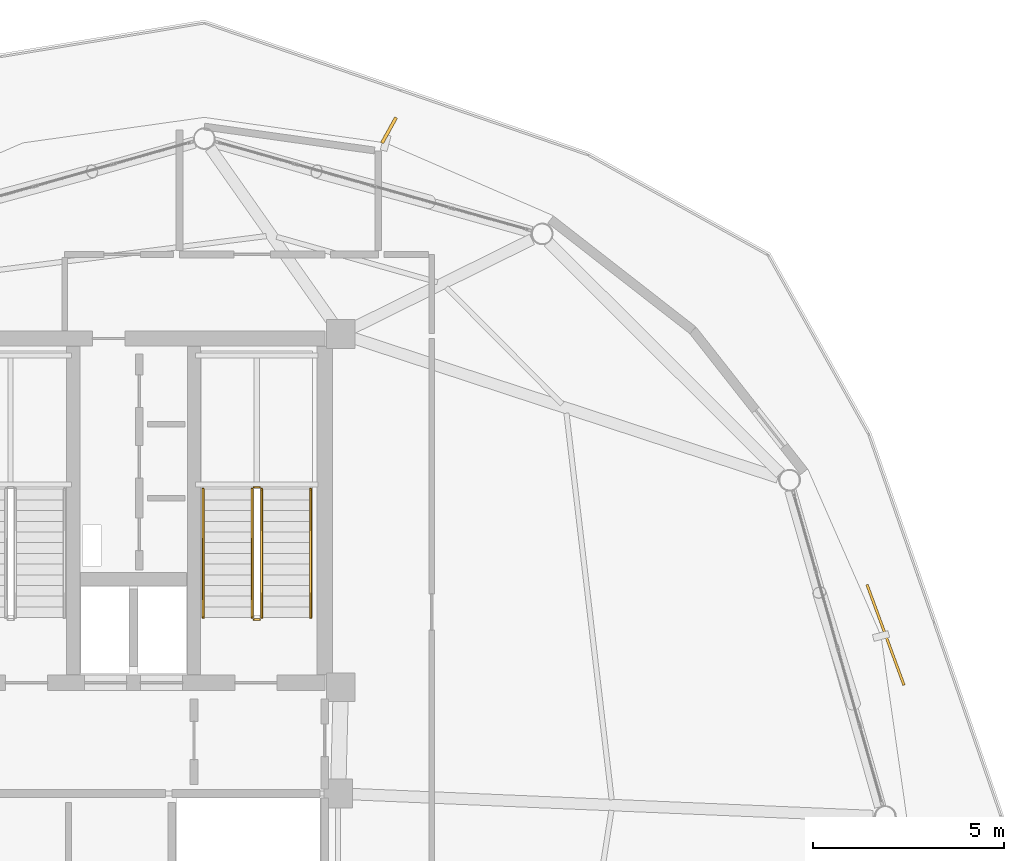
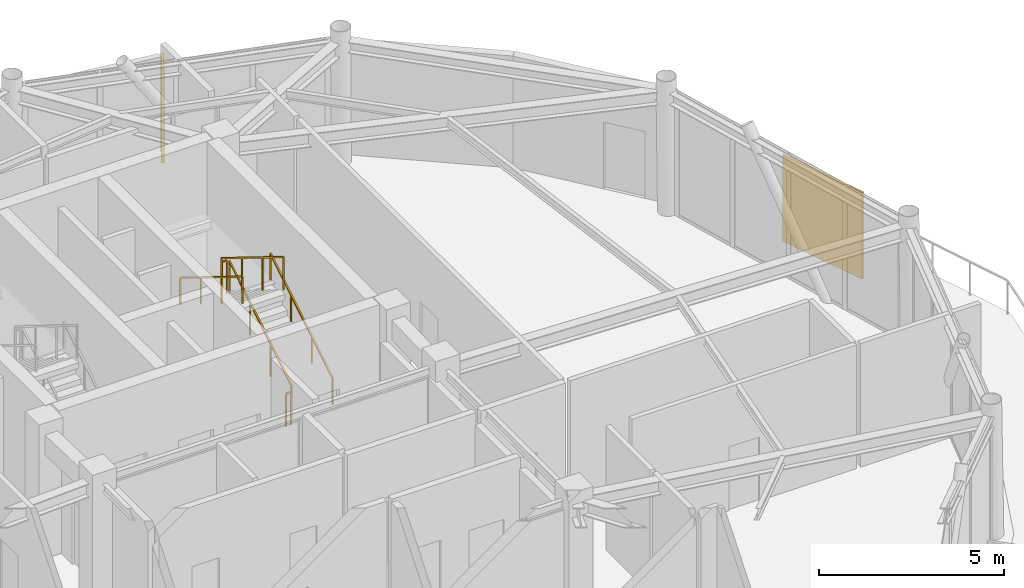
# One storey, part 24 of 24: 6 railings, 2 shading devices.
"""IFC4 building model written with IfcOpenShell, lengths in metres."""

from ifc_helpers import new_model, si_unit, direction, frame, origin, origin_2d, place, context, subcontext, project, spatial, rectangle, extrude, source, transform, mapped, material, type_object, type_shapes, element, save


model = new_model("IFC4")

# Units and contexts
model_context = context("Model", 3, precision=1e-05, world=origin(), true_north=direction((0.0, 1.0)))
body_context = subcontext(model_context, "Body", "Model", "MODEL_VIEW")
ifc_project = project(units=[si_unit("LENGTHUNIT", "METRE"), si_unit("AREAUNIT", "SQUARE_METRE"), si_unit("VOLUMEUNIT", "CUBIC_METRE"), si_unit("PLANEANGLEUNIT", "RADIAN"), si_unit("MASSUNIT", "GRAM", prefix="KILO")], contexts=[model_context])

# Site, building, storey
site_placement = place(None, origin())
site = spatial("IfcSite", under=ifc_project, at=site_placement, CompositionType="ELEMENT")
building_placement = place(site_placement, origin())
building = spatial("IfcBuilding", under=site, at=building_placement, Name="Varnakorn Sky Granary", CompositionType="ELEMENT")
storey_placement = place(building_placement, frame((0.0, 0.0, 285.0)))
storey = spatial("IfcBuildingStorey", under=building, at=storey_placement, Name="L73", CompositionType="ELEMENT", Elevation=285.0)

# Railings
ifc_material_1 = material(Name="Brushed Stainless Steel 316", Category="steel")
railing_type_1 = type_object("IfcRailingType", Name="RL-STAIR-1100", PredefinedType="GUARDRAIL", material=ifc_material_1)
railing_1_placement = place(storey_placement, frame((6.35009765625, 5.199951171875, 0.173095703125)))
element("IfcRailing", 1, at=railing_1_placement, inside=storey, type_object=railing_type_1, Name="L73 ST-2 stair guard 1", PredefinedType="GUARDRAIL", context=body_context, shape_type="SweptSolid", body=[
    extrude(rectangle(XDim=0.048095703125, YDim=0.048095703125, at=origin_2d()), frame((0.0, 0.0, 1.076171875), z_axis=(0.0, 0.850623216509, 0.525775754039), x_axis=(-1.0, 0.0, 0.0)), (0.0, 0.0, 1.0), 3.9501953125),
    extrude(rectangle(XDim=0.0419921875, YDim=0.0419921875, at=origin_2d()), origin(), (0.0, 0.0, 1.0), 1.048095703125),
    extrude(rectangle(XDim=0.0419921875, YDim=0.0419921875, at=origin_2d()), frame((0.0, 1.1201171875, 0.6923828125)), (0.0, 0.0, 1.0), 1.048095703125),
    extrude(rectangle(XDim=0.0419921875, YDim=0.0419921875, at=origin_2d()), frame((0.0, 2.239990234375, 1.384521484375)), (0.0, 0.0, 1.0), 1.048095703125),
    extrude(rectangle(XDim=0.0419921875, YDim=0.0419921875, at=origin_2d()), frame((0.0, 3.360107421875, 2.076904296875)), (0.0, 0.0, 1.0), 1.048095703125),
])
railing_2_placement = place(storey_placement, frame((6.300048828125, 8.610107421875, 2.25)))
element("IfcRailing", 2, at=railing_2_placement, inside=storey, type_object=railing_type_1, Name="L73 ST-2 stair guard 2", PredefinedType="GUARDRAIL", context=body_context, shape_type="SweptSolid", body=[
    extrude(rectangle(XDim=0.048095703125, YDim=0.048095703125, at=origin_2d()), frame((0.0, 0.0, 1.076171875), z_axis=(-1.0, 0.0, 0.0), x_axis=(0.0, -1.0, 0.0)), (0.0, 0.0, 1.0), 0.150146484375),
    extrude(rectangle(XDim=0.0419921875, YDim=0.0419921875, at=origin_2d()), origin(), (0.0, 0.0, 1.0), 1.048095703125),
    extrude(rectangle(XDim=0.0419921875, YDim=0.0419921875, at=origin_2d()), frame((-0.150146484375, 0.0, 0.0)), (0.0, 0.0, 1.0), 1.048095703125),
])
railing_3_placement = place(storey_placement, frame((6.10009765625, 8.56005859375, 2.423095703125)))
element("IfcRailing", 3, at=railing_3_placement, inside=storey, type_object=railing_type_1, Name="L73 ST-2 stair guard 3", PredefinedType="GUARDRAIL", context=body_context, shape_type="SweptSolid", body=[
    extrude(rectangle(XDim=0.048095703125, YDim=0.048095703125, at=origin_2d()), frame((0.0, 0.0, 1.076171875), z_axis=(0.0, -0.850623216509, 0.525775754039), x_axis=(1.0, 0.0, 0.0)), (0.0, 0.0, 1.0), 3.9501953125),
    extrude(rectangle(XDim=0.0419921875, YDim=0.0419921875, at=origin_2d()), origin(), (0.0, 0.0, 1.0), 1.048095703125),
    extrude(rectangle(XDim=0.0419921875, YDim=0.0419921875, at=origin_2d()), frame((0.0, -1.1201171875, 0.6923828125)), (0.0, 0.0, 1.0), 1.048095703125),
    extrude(rectangle(XDim=0.0419921875, YDim=0.0419921875, at=origin_2d()), frame((0.0, -2.239990234375, 1.384521484375)), (0.0, 0.0, 1.0), 1.048095703125),
    extrude(rectangle(XDim=0.0419921875, YDim=0.0419921875, at=origin_2d()), frame((0.0, -3.360107421875, 2.076904296875)), (0.0, 0.0, 1.0), 1.048095703125),
])
railing_4_placement = place(storey_placement, frame((6.300048828125, 5.14990234375, 0.0)))
element("IfcRailing", 4, at=railing_4_placement, inside=storey, type_object=railing_type_1, Name="L73 ST-2 stair guard 4", PredefinedType="GUARDRAIL", context=body_context, shape_type="SweptSolid", body=[
    extrude(rectangle(XDim=0.048095703125, YDim=0.048095703125, at=origin_2d()), frame((0.0, 0.0, 1.076171875), z_axis=(-1.0, 0.0, 0.0), x_axis=(0.0, -1.0, 0.0)), (0.0, 0.0, 1.0), 0.150146484375),
    extrude(rectangle(XDim=0.0419921875, YDim=0.0419921875, at=origin_2d()), origin(), (0.0, 0.0, 1.0), 1.048095703125),
    extrude(rectangle(XDim=0.0419921875, YDim=0.0419921875, at=origin_2d()), frame((-0.150146484375, 0.0, 0.0)), (0.0, 0.0, 1.0), 1.048095703125),
])
railing_type_2 = type_object("IfcRailingType", Name="RL-STAIR-920", PredefinedType="HANDRAIL", material=ifc_material_1)
railing_5_placement = place(storey_placement, frame((7.6298828125, 5.199951171875, 0.173095703125)))
element("IfcRailing", 5, at=railing_5_placement, inside=storey, type_object=railing_type_2, Name="L73 ST-2 stair handrail 1", PredefinedType="HANDRAIL", context=body_context, shape_type="SweptSolid", body=[
    extrude(rectangle(XDim=0.048095703125, YDim=0.048095703125, at=origin_2d()), frame((0.0, 0.0, 0.8759765625), z_axis=(0.0, 0.850623216509, 0.525775754039), x_axis=(-1.0, 0.0, 0.0)), (0.0, 0.0, 1.0), 3.9501953125),
    extrude(rectangle(XDim=0.0419921875, YDim=0.0419921875, at=origin_2d()), origin(), (0.0, 0.0, 1.0), 0.847900390625),
    extrude(rectangle(XDim=0.0419921875, YDim=0.0419921875, at=origin_2d()), frame((0.0, 1.1201171875, 0.6923828125)), (0.0, 0.0, 1.0), 0.847900390625),
    extrude(rectangle(XDim=0.0419921875, YDim=0.0419921875, at=origin_2d()), frame((0.0, 2.239990234375, 1.384521484375)), (0.0, 0.0, 1.0), 0.847900390625),
    extrude(rectangle(XDim=0.0419921875, YDim=0.0419921875, at=origin_2d()), frame((0.0, 3.360107421875, 2.076904296875)), (0.0, 0.0, 1.0), 0.847900390625),
])
railing_6_placement = place(storey_placement, frame((4.820068359375, 8.56005859375, 2.423095703125)))
element("IfcRailing", 6, at=railing_6_placement, inside=storey, type_object=railing_type_2, Name="L73 ST-2 stair handrail 2", PredefinedType="HANDRAIL", context=body_context, shape_type="SweptSolid", body=[
    extrude(rectangle(XDim=0.048095703125, YDim=0.048095703125, at=origin_2d()), frame((0.0, 0.0, 0.8759765625), z_axis=(0.0, -0.850623216509, 0.525775754039), x_axis=(1.0, 0.0, 0.0)), (0.0, 0.0, 1.0), 3.9501953125),
    extrude(rectangle(XDim=0.0419921875, YDim=0.0419921875, at=origin_2d()), origin(), (0.0, 0.0, 1.0), 0.847900390625),
    extrude(rectangle(XDim=0.0419921875, YDim=0.0419921875, at=origin_2d()), frame((0.0, -1.1201171875, 0.6923828125)), (0.0, 0.0, 1.0), 0.847900390625),
    extrude(rectangle(XDim=0.0419921875, YDim=0.0419921875, at=origin_2d()), frame((0.0, -2.239990234375, 1.384521484375)), (0.0, 0.0, 1.0), 0.847900390625),
    extrude(rectangle(XDim=0.0419921875, YDim=0.0419921875, at=origin_2d()), frame((0.0, -3.360107421875, 2.076904296875)), (0.0, 0.0, 1.0), 0.847900390625),
])

# Shading devices
ifc_material_2 = material(Name="Anodised Bronze Aluminium Alloy 6063-T6", Category="aluminium")
shading_device_type_1 = type_object("IfcShadingDeviceType", Name="SH-FIN-03", PredefinedType="USERDEFINED", material=ifc_material_2)
shared_shape_1 = source(origin(), body_context, "Body", "SweptSolid", [
    extrude(rectangle(XDim=0.0849609375, YDim=0.760009765625, at=origin_2d()), origin(), (0.0, 0.0, 1.0), 3.10009765625),
])
type_shapes(shading_device_type_1, [shared_shape_1])
shading_device_1_placement = place(storey_placement, frame((9.680908203125, 17.94580078125, -0.0400390625), z_axis=(0.0, 0.0, 1.0), x_axis=(-0.875428596299, 0.483347465889, 0.0)))
element("IfcShadingDevice", 7, at=shading_device_1_placement, inside=storey, type_object=shading_device_type_1, Name="Bronze Solar-Tracking Vertical Blade FIN L73-03", ObjectType="FIN", PredefinedType="USERDEFINED", context=body_context, shape_type="MappedRepresentation", body=[
    mapped(shared_shape_1, transform((0.0, 0.0, 0.0), x_axis=(1.0, 0.0, 0.0), y_axis=(0.0, 1.0, 0.0), z_axis=(0.0, 0.0, 1.0), scale=1.0)),
])
shading_device_type_2 = type_object("IfcShadingDeviceType", Name="SH-SCR-03", PredefinedType="USERDEFINED", material=ifc_material_2)
shared_shape_2 = source(origin(), body_context, "Body", "SweptSolid", [
    extrude(rectangle(XDim=2.800048828125, YDim=0.06494140625, at=origin_2d()), origin(), (0.0, 0.0, 1.0), 2.85009765625),
])
type_shapes(shading_device_type_2, [shared_shape_2])
shading_device_2_placement = place(storey_placement, frame((22.66455078125, 4.751220703125, -0.0400390625), z_axis=(0.0, 0.0, 1.0), x_axis=(-0.345032671175, 0.938590675333, 0.0)))
element("IfcShadingDevice", 8, at=shading_device_2_placement, inside=storey, type_object=shading_device_type_2, Name="Perforated Bronze Solar Screen Panel SCREEN L73-01", ObjectType="SCREEN", PredefinedType="USERDEFINED", context=body_context, shape_type="MappedRepresentation", body=[
    mapped(shared_shape_2, transform((0.0, 0.0, 0.0), x_axis=(1.0, 0.0, 0.0), y_axis=(0.0, 1.0, 0.0), z_axis=(0.0, 0.0, 1.0), scale=1.0)),
])

save(model, "model.ifc")
